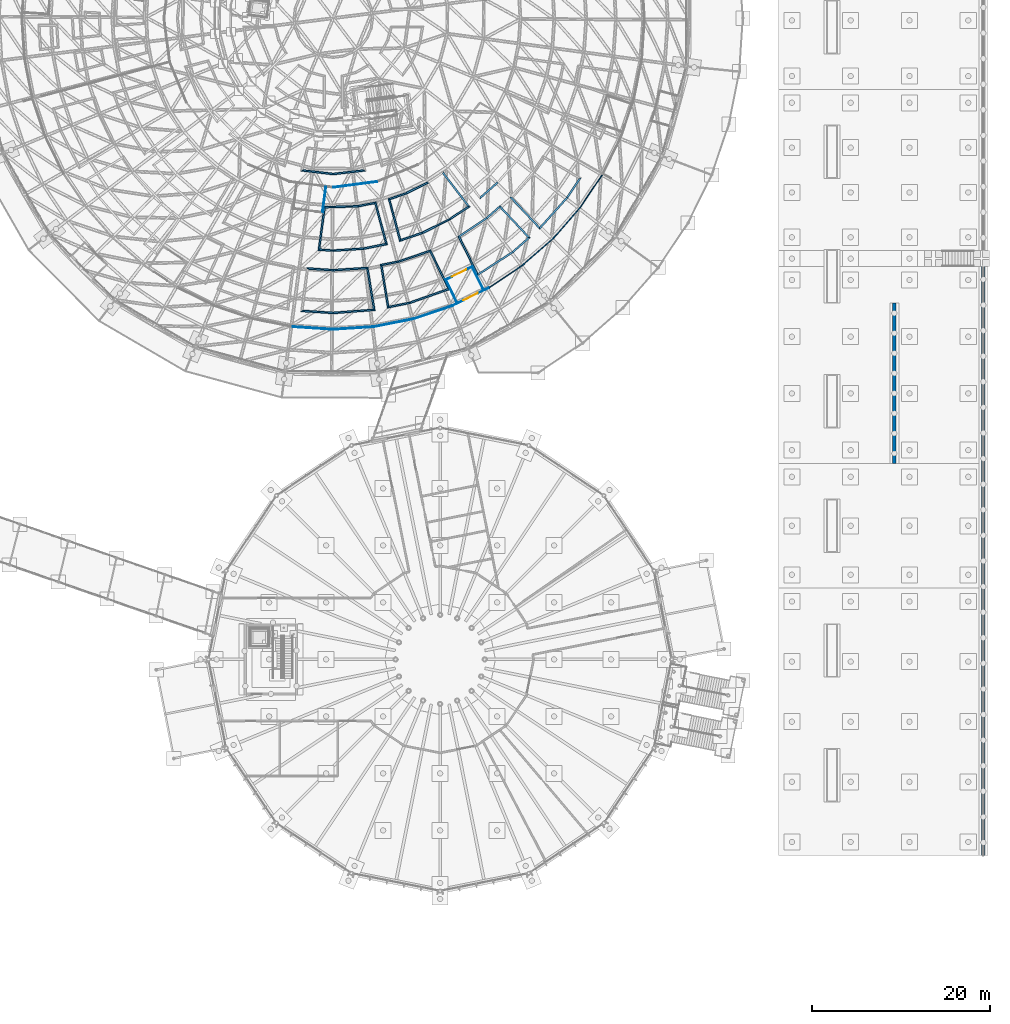
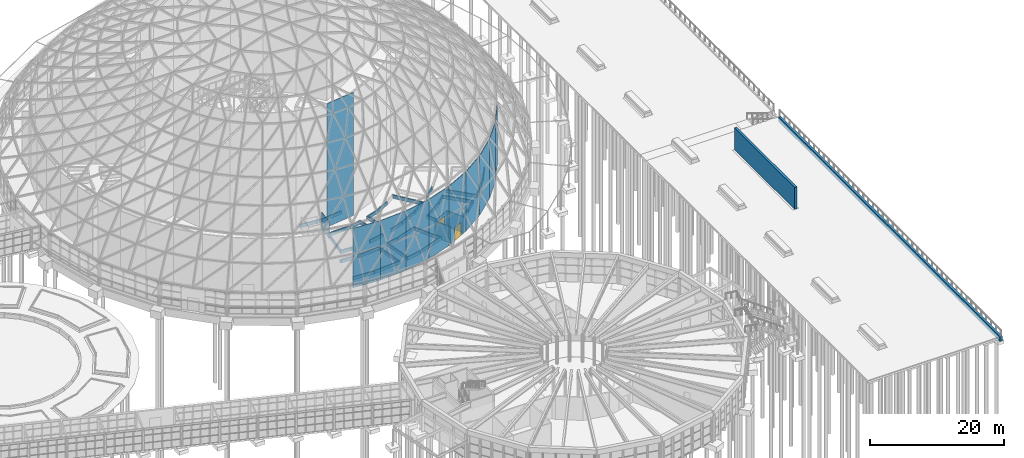
# One storey, part 175 of 226: 53 walls, 2 doors, 2 openings.
"""IFC4 building model written with IfcOpenShell, lengths in metres."""

from ifc_helpers import new_model, si_unit, direction, frame, frame_2d, origin, place, context, subcontext, project, spatial, polyline, rectangle, outline, extrude, material, layer, layer_set, type_object, element, fill, save


model = new_model("IFC4")

# Units and contexts
model_context = context("Model", 3, precision=1e-05, world=origin(), true_north=direction((0.0, 1.0)))
body_context = subcontext(model_context, "Body", "Model", "MODEL_VIEW")
ifc_project = project(units=[si_unit("LENGTHUNIT", "METRE"), si_unit("AREAUNIT", "SQUARE_METRE"), si_unit("VOLUMEUNIT", "CUBIC_METRE"), si_unit("PLANEANGLEUNIT", "RADIAN"), si_unit("MASSUNIT", "GRAM", prefix="KILO")], contexts=[model_context])

# Site, building, storey
site_placement = place(None, origin())
site = spatial("IfcSite", under=ifc_project, at=site_placement, CompositionType="ELEMENT")
building_placement = place(site_placement, origin())
building = spatial("IfcBuilding", under=site, at=building_placement, Name="Ceibo Conservatory and Research Tower", CompositionType="ELEMENT")
storey_placement = place(building_placement, origin())
storey = spatial("IfcBuildingStorey", under=building, at=storey_placement, Name="L00", CompositionType="ELEMENT", Elevation=0.0)

# Walls
ifc_material_1 = material(Name="Aluminium and glass", Category="aluminium")
ifc_layer_1 = layer(ifc_material_1, 0.10009765625)
ifc_layer_set_1 = layer_set([ifc_layer_1], Name="Aluminium and glass")
wall_type_1 = type_object("IfcWallType", Name="Airlock screen wall 100", PredefinedType="PARTITIONING", material=ifc_layer_set_1)
wall_1_placement = place(storey_placement, frame((151.438232421875, 73.34912109375, 0.0), z_axis=(0.0, 0.0, 1.0), x_axis=(0.997857806405, -0.065420166596, 0.0)))
element("IfcWall", 1, at=wall_1_placement, inside=storey, type_object=wall_type_1, Name="Glazed partition O", PredefinedType="PARTITIONING", context=body_context, shape_type="SweptSolid", body=[
    extrude(outline(polyline([(-0.003173828125, -0.050048828125), (4.57470703125, -0.050048828125), (4.568359375, 0.050048828125), (0.003173828125, 0.050048828125), (-0.003173828125, -0.050048828125)])), origin(), (0.0, 0.0, 1.0), 10.841552734375),
])
wall_2_placement = place(storey_placement, frame((156.0, 73.050048828125, 0.0), z_axis=(0.0, 0.0, 1.0), x_axis=(0.997857806405, 0.065420166596, 0.0)))
element("IfcWall", 2, at=wall_2_placement, inside=storey, type_object=wall_type_1, Name="Glazed partition O", PredefinedType="PARTITIONING", context=body_context, shape_type="SweptSolid", body=[
    extrude(outline(polyline([(-0.003173828125, -0.050048828125), (4.57470703125, -0.050048828125), (4.568359375, 0.050048828125), (0.003173828125, 0.050048828125), (-0.003173828125, -0.050048828125)])), origin(), (0.0, 0.0, 1.0), 10.84130859375),
])
for number, where, z_axis, x_axis, name in (
    (3, (160.561767578125, 73.34912109375, 0.0), (0.0, 0.0, 1.0), (0.9807875747, 0.195078787454, 0.0), "Glazed partition O"),
    (4, (165.045654296875, 74.240966796875, 0.0), (0.0, 0.0, 1.0), (0.946933427818, 0.321429748592, 0.0), "Glazed partition O"),
):
    element("IfcWall", number, at=place(storey_placement, frame(where, z_axis=z_axis, x_axis=x_axis)), inside=storey, type_object=wall_type_1, Name=name, PredefinedType="PARTITIONING", context=body_context, shape_type="SweptSolid", body=[
        extrude(outline(polyline([(-0.003173828125, -0.050048828125), (4.574951171875, -0.050048828125), (4.568603515625, 0.050048828125), (0.003173828125, 0.050048828125), (-0.003173828125, -0.050048828125)])), origin(), (0.0, 0.0, 1.0), 10.841552734375),
    ])

# Wall, opening, door
wall_3_placement = place(storey_placement, frame((169.374755859375, 75.71044921875, 0.0), z_axis=(0.0, 0.0, 1.0), x_axis=(0.896870290184, 0.442293661028, 0.0)))
wall_3 = element("IfcWall", 5, at=wall_3_placement, inside=storey, type_object=wall_type_1, Name="Glazed partition O", PredefinedType="PARTITIONING", context=body_context, shape_type="SweptSolid", body=[
    extrude(outline(polyline([(-0.003173828125, -0.050048828125), (4.57470703125, -0.050048828125), (4.568359375, 0.050048828125), (0.003173828125, 0.050048828125), (-0.003173828125, -0.050048828125)])), origin(), (0.0, 0.0, 1.0), 10.84130859375),
])
opening_1_placement = place(wall_3_placement, frame((1.3857421875, 0.0, 0.0)))
opening_1 = element("IfcOpeningElement", 6, at=opening_1_placement, cuts=wall_3, Name="Opening A-AL09", PredefinedType="OPENING", context=body_context, shape_type="SweptSolid", body=[
    extrude(rectangle(XDim=1.800048828125, YDim=2.39990234375, at=frame_2d((0.89990234375, 1.199951171875))), frame((0.0, 0.06005859375, 0.0), z_axis=(0.0, -1.0, 0.0), x_axis=(1.0, 0.0, 0.0)), (0.0, 0.0, 1.0), 0.1201171875),
])
door_type = type_object("IfcDoorType", Name="Glass sliding door 1800x2400", OperationType="DOUBLE_DOOR_SLIDING", PredefinedType="DOOR", material=ifc_material_1)
door_1_placement = place(opening_1_placement, origin())
door_1 = element("IfcDoor", 7, at=door_1_placement, inside=storey, type_object=door_type, Name="Airlock door A-AL09", OperationType="DOUBLE_DOOR_SLIDING", OverallHeight=2.39990234375, OverallWidth=1.800048828125, PredefinedType="DOOR", context=body_context, shape_type="SweptSolid", body=[
    extrude(rectangle(XDim=1.800048828125, YDim=2.39990234375, at=frame_2d((0.89990234375, 1.199951171875))), frame((0.0, 0.02490234375, 0.0), z_axis=(0.0, -1.0, 0.0), x_axis=(1.0, 0.0, 0.0)), (0.0, 0.0, 1.0), 0.050048828125),
])
fill(opening_1, door_1)

# Walls
wall_4_placement = place(storey_placement, frame((173.474853515625, 77.732421875, 0.0), z_axis=(0.0, 0.0, 1.0), x_axis=(0.831458299113, 0.555587164031, 0.0)))
element("IfcWall", 8, at=wall_4_placement, inside=storey, type_object=wall_type_1, Name="Glazed partition O", PredefinedType="PARTITIONING", context=body_context, shape_type="SweptSolid", body=[
    extrude(outline(polyline([(-0.003173828125, -0.050048828125), (4.574951171875, -0.050048828125), (4.568603515625, 0.050048828125), (0.003173828125, 0.050048828125), (-0.003173828125, -0.050048828125)])), origin(), (0.0, 0.0, 1.0), 10.841552734375),
])
wall_5_placement = place(storey_placement, frame((177.276123046875, 80.2724609375, 0.0), z_axis=(0.0, 0.0, 1.0), x_axis=(0.751864999433, 0.659317088075, 0.0)))
element("IfcWall", 9, at=wall_5_placement, inside=storey, type_object=wall_type_1, Name="Glazed partition O", PredefinedType="PARTITIONING", context=body_context, shape_type="SweptSolid", body=[
    extrude(outline(polyline([(-0.003173828125, -0.050048828125), (4.57470703125, -0.050048828125), (4.568359375, 0.050048828125), (0.003173828125, 0.050048828125), (-0.003173828125, -0.050048828125)])), origin(), (0.0, 0.0, 1.0), 10.841552734375),
])
wall_6_placement = place(storey_placement, frame((180.71337890625, 83.28662109375, 0.0), z_axis=(0.0, 0.0, 1.0), x_axis=(0.659317088075, 0.751864999433, 0.0)))
element("IfcWall", 10, at=wall_6_placement, inside=storey, type_object=wall_type_1, Name="Glazed partition O", PredefinedType="PARTITIONING", context=body_context, shape_type="SweptSolid", body=[
    extrude(outline(polyline([(-0.003173828125, -0.050048828125), (4.57470703125, -0.050048828125), (4.568359375, 0.050048828125), (0.003173828125, 0.050048828125), (-0.003173828125, -0.050048828125)])), origin(), (0.0, 0.0, 1.0), 10.84130859375),
])
wall_7_placement = place(storey_placement, frame((183.7275390625, 86.723876953125, 0.0), z_axis=(0.0, 0.0, 1.0), x_axis=(0.555587164031, 0.831458299113, 0.0)))
element("IfcWall", 11, at=wall_7_placement, inside=storey, type_object=wall_type_1, Name="Glazed partition O", PredefinedType="PARTITIONING", context=body_context, shape_type="SweptSolid", body=[
    extrude(outline(polyline([(-0.003173828125, -0.050048828125), (4.574951171875, -0.050048828125), (4.568603515625, 0.050048828125), (0.003173828125, 0.050048828125), (-0.003173828125, -0.050048828125)])), origin(), (0.0, 0.0, 1.0), 10.841552734375),
])
wall_8_placement = place(storey_placement, frame((156.0, 89.0, 0.0), z_axis=(0.0, 0.0, 1.0), x_axis=(0.991443234469, 0.130538549191, 0.0)))
element("IfcWall", 12, at=wall_8_placement, inside=storey, type_object=wall_type_1, Name="Glazed partition I", PredefinedType="PARTITIONING", context=body_context, shape_type="SweptSolid", body=[
    extrude(outline(polyline([(-0.006591796875, -0.050048828125), (4.966552734375, -0.050048828125), (4.953369140625, 0.050048828125), (0.006591796875, 0.050048828125), (-0.006591796875, -0.050048828125)])), origin(), (0.0, 0.0, 1.0), 22.484130859375),
])
for number, where, z_axis, x_axis, name in (
    (13, (169.9228515625, 76.036376953125, 0.0), (0.0, 0.0, 1.0), (-0.44227266216, 0.896880645519, 0.0), "Glazed partition A"),
    (14, (172.882568359375, 77.49609375, 0.0), (0.0, 0.0, 1.0), (-0.44227266216, 0.896880645519, 0.0), "Glazed partition A"),
):
    element("IfcWall", number, at=place(storey_placement, frame(where, z_axis=z_axis, x_axis=x_axis)), inside=storey, type_object=wall_type_1, Name=name, PredefinedType="PARTITIONING", context=body_context, shape_type="SweptSolid", body=[
        extrude(rectangle(XDim=2.85009765625, YDim=0.10009765625, at=frame_2d((1.425048828125, 0.0))), origin(), (0.0, 0.0, 1.0), 3.0),
    ])

# Wall, opening, door
wall_9_placement = place(storey_placement, frame((168.595458984375, 78.615234375, 0.0), z_axis=(0.0, 0.0, 1.0), x_axis=(0.896855262405, 0.442324132619, 0.0)))
wall_9 = element("IfcWall", 15, at=wall_9_placement, inside=storey, type_object=wall_type_1, Name="Glazed partition A", PredefinedType="PARTITIONING", context=body_context, shape_type="SweptSolid", body=[
    extrude(rectangle(XDim=3.39990234375, YDim=0.10009765625, at=frame_2d((1.699951171875, 0.0))), origin(), (0.0, 0.0, 1.0), 3.0),
])
opening_2_placement = place(wall_9_placement, frame((0.800048828125, 0.0, 0.0)))
opening_2 = element("IfcOpeningElement", 16, at=opening_2_placement, cuts=wall_9, Name="Opening A-AL10", PredefinedType="OPENING", context=body_context, shape_type="SweptSolid", body=[
    extrude(rectangle(XDim=1.800048828125, YDim=2.39990234375, at=frame_2d((0.89990234375, 1.199951171875))), frame((0.0, 0.06005859375, 0.0), z_axis=(0.0, -1.0, 0.0), x_axis=(1.0, 0.0, 0.0)), (0.0, 0.0, 1.0), 0.1201171875),
])
door_2_placement = place(opening_2_placement, origin())
door_2 = element("IfcDoor", 17, at=door_2_placement, inside=storey, type_object=door_type, Name="Airlock door A-AL10", OperationType="DOUBLE_DOOR_SLIDING", OverallHeight=2.39990234375, OverallWidth=1.800048828125, PredefinedType="DOOR", context=body_context, shape_type="SweptSolid", body=[
    extrude(rectangle(XDim=1.800048828125, YDim=2.39990234375, at=frame_2d((0.89990234375, 1.199951171875))), frame((0.0, 0.02490234375, 0.0), z_axis=(0.0, -1.0, 0.0), x_axis=(1.0, 0.0, 0.0)), (0.0, 0.0, 1.0), 0.050048828125),
])
fill(opening_2, door_2)

# Walls
wall_10_placement = place(storey_placement, frame((155.170654296875, 89.058837890625, 0.0), z_axis=(0.0, 0.0, 1.0), x_axis=(-0.130547578832, -0.991442045538, 0.0)))
element("IfcWall", 18, at=wall_10_placement, inside=storey, type_object=wall_type_1, Name="Glazed partition A", PredefinedType="PARTITIONING", context=body_context, shape_type="SweptSolid", body=[
    extrude(rectangle(XDim=2.85009765625, YDim=0.10009765625, at=frame_2d((1.425048828125, 0.0))), origin(), (0.0, 0.0, 1.0), 3.0),
])
ifc_material_2 = material(Name="Masonry blockwork", Category="masonry")
ifc_layer_2 = layer(ifc_material_2, 0.199951171875)
ifc_layer_set_2 = layer_set([ifc_layer_2], Name="Masonry blockwork")
wall_type_2 = type_object("IfcWallType", Name="Dome planter wall 200", PredefinedType="SOLIDWALL", material=ifc_layer_set_2)
wall_11_placement = place(storey_placement, frame((152.4560546875, 90.909912109375, 0.0), z_axis=(0.0, 0.0, 1.0), x_axis=(0.993400541196, -0.114696838457, 0.0)))
element("IfcWall", 19, at=wall_11_placement, inside=storey, type_object=wall_type_2, Name="Planter wall A-PB018", PredefinedType="SOLIDWALL", context=body_context, shape_type="SweptSolid", body=[
    extrude(outline(polyline([(-0.115966796875, -0.10009765625), (3.578857421875, -0.10009765625), (3.555908203125, 0.10009765625), (0.115966796875, 0.10009765625), (-0.115966796875, -0.10009765625)])), origin(), (0.0, 0.0, 1.0), 0.60009765625),
])
wall_12_placement = place(storey_placement, frame((156.0, 90.500732421875, 0.0), z_axis=(0.0, 0.0, 1.0), x_axis=(0.993400541196, 0.114696838457, 0.0)))
element("IfcWall", 20, at=wall_12_placement, inside=storey, type_object=wall_type_2, Name="Planter wall A-PB018", PredefinedType="SOLIDWALL", context=body_context, shape_type="SweptSolid", body=[
    extrude(outline(polyline([(-0.011474609375, -0.10009765625), (3.683349609375, -0.10009765625), (3.451416015625, 0.10009765625), (0.011474609375, 0.10009765625), (-0.011474609375, -0.10009765625)])), origin(), (0.0, 0.0, 1.0), 0.60009765625),
])
wall_13_placement = place(storey_placement, frame((154.393310546875, 82.005615234375, 0.0), z_axis=(0.0, 0.0, 1.0), x_axis=(0.997852402319, -0.065502543352, 0.0)))
element("IfcWall", 21, at=wall_13_placement, inside=storey, type_object=wall_type_2, Name="Planter wall A-PB050", PredefinedType="SOLIDWALL", context=body_context, shape_type="SweptSolid", body=[
    extrude(outline(polyline([(-0.106689453125, -0.10009765625), (1.61669921875, -0.10009765625), (1.603515625, 0.10009765625), (0.106689453125, 0.10009765625), (-0.106689453125, -0.10009765625)])), origin(), (0.0, 0.0, 1.0), 0.60009765625),
])
wall_14_placement = place(storey_placement, frame((156.0, 81.900146484375, 0.0), z_axis=(0.0, 0.0, 1.0), x_axis=(0.997857025593, 0.065432075277, 0.0)))
element("IfcWall", 22, at=wall_14_placement, inside=storey, type_object=wall_type_2, Name="Planter wall A-PB050", PredefinedType="SOLIDWALL", context=body_context, shape_type="SweptSolid", body=[
    extrude(outline(polyline([(-0.006591796875, -0.10009765625), (3.420654296875, -0.10009765625), (3.407470703125, 0.10009765625), (0.006591796875, 0.10009765625), (-0.006591796875, -0.10009765625)])), origin(), (0.0, 0.0, 1.0), 0.60009765625),
])
wall_15_placement = place(storey_placement, frame((159.40673828125, 82.12353515625, 0.0), z_axis=(0.0, 0.0, 1.0), x_axis=(0.980792189563, 0.195055584107, 0.0)))
element("IfcWall", 23, at=wall_15_placement, inside=storey, type_object=wall_type_2, Name="Planter wall A-PB050", PredefinedType="SOLIDWALL", context=body_context, shape_type="SweptSolid", body=[
    extrude(outline(polyline([(-0.006591796875, -0.10009765625), (2.718994140625, -0.10009765625), (2.505615234375, 0.10009765625), (0.006591796875, 0.10009765625), (-0.006591796875, -0.10009765625)])), origin(), (0.0, 0.0, 1.0), 0.60009765625),
])
wall_16_placement = place(storey_placement, frame((161.96875, 82.633056640625, 0.0), z_axis=(0.0, 0.0, 1.0), x_axis=(-0.258802189717, 0.965930342518, 0.0)))
element("IfcWall", 24, at=wall_16_placement, inside=storey, type_object=wall_type_2, Name="Planter wall A-PB050", PredefinedType="SOLIDWALL", context=body_context, shape_type="SweptSolid", body=[
    extrude(outline(polyline([(-0.106689453125, -0.10009765625), (4.8935546875, -0.10009765625), (4.7060546875, 0.10009765625), (0.106689453125, 0.10009765625), (-0.106689453125, -0.10009765625)])), origin(), (0.0, 0.0, 1.0), 0.60009765625),
])
wall_17_placement = place(storey_placement, frame((160.7265625, 87.269287109375, 0.0), z_axis=(0.0, 0.0, 1.0), x_axis=(-0.980769302126, -0.195170633055, 0.0)))
element("IfcWall", 25, at=wall_17_placement, inside=storey, type_object=wall_type_2, Name="Planter wall A-PB050", PredefinedType="SOLIDWALL", context=body_context, shape_type="SweptSolid", body=[
    extrude(outline(polyline([(-0.09375, -0.10009765625), (1.97802734375, -0.10009765625), (1.99462890625, 0.10009765625), (0.09375, 0.10009765625), (-0.09375, -0.10009765625)])), origin(), (0.0, 0.0, 1.0), 0.60009765625),
])
wall_18_placement = place(storey_placement, frame((158.7783203125, 86.881591796875, 0.0), z_axis=(0.0, 0.0, 1.0), x_axis=(-0.999578465487, -0.029032590908, 0.0)))
element("IfcWall", 26, at=wall_18_placement, inside=storey, type_object=wall_type_2, Name="Planter wall A-PB050", PredefinedType="SOLIDWALL", context=body_context, shape_type="SweptSolid", body=[
    extrude(outline(polyline([(0.00830078125, -0.10009765625), (3.843994140625, -0.10009765625), (3.673583984375, 0.10009765625), (-0.00830078125, 0.10009765625), (0.00830078125, -0.10009765625)])), origin(), (0.0, 0.0, 1.0), 0.60009765625),
])
wall_19_placement = place(storey_placement, frame((155.02099609375, 86.7724609375, 0.0), z_axis=(0.0, 0.0, 1.0), x_axis=(-0.130550399195, -0.991441674164, 0.0)))
element("IfcWall", 27, at=wall_19_placement, inside=storey, type_object=wall_type_2, Name="Planter wall A-PB050", PredefinedType="SOLIDWALL", context=body_context, shape_type="SweptSolid", body=[
    extrude(outline(polyline([(-0.085205078125, -0.10009765625), (4.914794921875, -0.10009765625), (4.701416015625, 0.10009765625), (0.085205078125, 0.10009765625), (-0.085205078125, -0.10009765625)])), origin(), (0.0, 0.0, 1.0), 0.60009765625),
])
wall_20_placement = place(storey_placement, frame((162.27197265625, 87.683349609375, 0.0), z_axis=(0.0, 0.0, 1.0), x_axis=(0.258862365244, -0.965914217651, 0.0)))
element("IfcWall", 28, at=wall_20_placement, inside=storey, type_object=wall_type_2, Name="Planter wall A-PB051", PredefinedType="SOLIDWALL", context=body_context, shape_type="SweptSolid", body=[
    extrude(outline(polyline([(-0.09375, -0.10009765625), (4.90625, -0.10009765625), (4.69287109375, 0.10009765625), (0.09375, 0.10009765625), (-0.09375, -0.10009765625)])), origin(), (0.0, 0.0, 1.0), 0.60009765625),
])
wall_21_placement = place(storey_placement, frame((163.514404296875, 83.04736328125, 0.0), z_axis=(0.0, 0.0, 1.0), x_axis=(0.946940101342, 0.321410087694, 0.0)))
element("IfcWall", 29, at=wall_21_placement, inside=storey, type_object=wall_type_2, Name="Planter wall A-PB051", PredefinedType="SOLIDWALL", context=body_context, shape_type="SweptSolid", body=[
    extrude(outline(polyline([(-0.106689453125, -0.10009765625), (2.618896484375, -0.10009765625), (2.605712890625, 0.10009765625), (0.106689453125, 0.10009765625), (-0.106689453125, -0.10009765625)])), origin(), (0.0, 0.0, 1.0), 0.60009765625),
])
wall_22_placement = place(storey_placement, frame((165.988037109375, 83.886962890625, 0.0), z_axis=(0.0, 0.0, 1.0), x_axis=(0.896859600728, 0.442315336138, 0.0)))
element("IfcWall", 30, at=wall_22_placement, inside=storey, type_object=wall_type_2, Name="Planter wall A-PB051", PredefinedType="SOLIDWALL", context=body_context, shape_type="SweptSolid", body=[
    extrude(outline(polyline([(-0.006591796875, -0.10009765625), (3.42041015625, -0.10009765625), (3.4072265625, 0.10009765625), (0.006591796875, 0.10009765625), (-0.006591796875, -0.10009765625)])), origin(), (0.0, 0.0, 1.0), 0.60009765625),
])
wall_23_placement = place(storey_placement, frame((169.0498046875, 85.39697265625, 0.0), z_axis=(0.0, 0.0, 1.0), x_axis=(0.831503515808, 0.555519489486, 0.0)))
element("IfcWall", 31, at=wall_23_placement, inside=storey, type_object=wall_type_2, Name="Planter wall A-PB051", PredefinedType="SOLIDWALL", context=body_context, shape_type="SweptSolid", body=[
    extrude(outline(polyline([(-0.006591796875, -0.10009765625), (2.718994140625, -0.10009765625), (2.505615234375, 0.10009765625), (0.006591796875, 0.10009765625), (-0.006591796875, -0.10009765625)])), origin(), (0.0, 0.0, 1.0), 0.60009765625),
])
wall_24_placement = place(storey_placement, frame((171.221923828125, 86.84814453125, 0.0), z_axis=(0.0, 0.0, 1.0), x_axis=(-0.608761460015, 0.793353316499, 0.0)))
element("IfcWall", 32, at=wall_24_placement, inside=storey, type_object=wall_type_2, Name="Planter wall A-PB051", PredefinedType="SOLIDWALL", context=body_context, shape_type="SweptSolid", body=[
    extrude(outline(polyline([(-0.106689453125, -0.10009765625), (4.8935546875, -0.10009765625), (4.7060546875, 0.10009765625), (0.106689453125, 0.10009765625), (-0.106689453125, -0.10009765625)])), origin(), (0.0, 0.0, 1.0), 0.60009765625),
])
wall_25_placement = place(storey_placement, frame((166.650146484375, 89.553466796875, 0.0), z_axis=(0.0, 0.0, 1.0), x_axis=(-0.896901817238, -0.442229725635, 0.0)))
element("IfcWall", 33, at=wall_25_placement, inside=storey, type_object=wall_type_2, Name="Planter wall A-PB051", PredefinedType="SOLIDWALL", context=body_context, shape_type="SweptSolid", body=[
    extrude(outline(polyline([(0.006591796875, -0.10009765625), (2.77978515625, -0.10009765625), (2.79296875, 0.10009765625), (-0.006591796875, 0.10009765625), (0.006591796875, -0.10009765625)])), origin(), (0.0, 0.0, 1.0), 0.60009765625),
])
wall_26_placement = place(storey_placement, frame((164.151123046875, 88.3212890625, 0.0), z_axis=(0.0, 0.0, 1.0), x_axis=(-0.946921869653, -0.321463796986, 0.0)))
element("IfcWall", 34, at=wall_26_placement, inside=storey, type_object=wall_type_2, Name="Planter wall A-PB051", PredefinedType="SOLIDWALL", context=body_context, shape_type="SweptSolid", body=[
    extrude(outline(polyline([(0.006591796875, -0.10009765625), (2.078125, -0.10009765625), (1.890625, 0.10009765625), (-0.006591796875, 0.10009765625), (0.006591796875, -0.10009765625)])), origin(), (0.0, 0.0, 1.0), 0.60009765625),
])
wall_27_placement = place(storey_placement, frame((172.4912109375, 87.822265625, 0.0), z_axis=(0.0, 0.0, 1.0), x_axis=(0.751852577458, 0.659331253445, 0.0)))
element("IfcWall", 35, at=wall_27_placement, inside=storey, type_object=wall_type_2, Name="Planter wall A-PB052", PredefinedType="SOLIDWALL", context=body_context, shape_type="SweptSolid", body=[
    extrude(outline(polyline([(-0.106689453125, -0.10009765625), (2.618896484375, -0.10009765625), (2.605712890625, 0.10009765625), (0.106689453125, 0.10009765625), (-0.106689453125, -0.10009765625)])), origin(), (0.0, 0.0, 1.0), 0.60009765625),
])
wall_28_placement = place(storey_placement, frame((152.4794921875, 75.130859375, 0.0), z_axis=(0.0, 0.0, 1.0), x_axis=(0.997858948744, -0.065402740086, 0.0)))
element("IfcWall", 36, at=wall_28_placement, inside=storey, type_object=wall_type_2, Name="Planter wall A-PB058", PredefinedType="SOLIDWALL", context=body_context, shape_type="SweptSolid", body=[
    extrude(outline(polyline([(-0.106689453125, -0.10009765625), (3.53466796875, -0.10009765625), (3.5205078125, 0.10009765625), (0.106689453125, 0.10009765625), (-0.106689453125, -0.10009765625)])), origin(), (0.0, 0.0, 1.0), 0.60009765625),
])
wall_29_placement = place(storey_placement, frame((155.99951171875, 74.900146484375, 0.0), z_axis=(0.0, 0.0, 1.0), x_axis=(0.997104118321, 0.076048518903, 0.0)))
element("IfcWall", 37, at=wall_29_placement, inside=storey, type_object=wall_type_2, Name="Planter wall A-PB058", PredefinedType="SOLIDWALL", context=body_context, shape_type="SweptSolid", body=[
    extrude(outline(polyline([(-0.007080078125, -0.10009765625), (4.71923828125, -0.10009765625), (4.5009765625, 0.10009765625), (0.007080078125, 0.10009765625), (-0.007080078125, -0.10009765625)])), origin(), (0.0, 0.0, 1.0), 0.60009765625),
])
wall_30_placement = place(storey_placement, frame((160.59619140625, 75.250732421875, 0.0), z_axis=(0.0, 0.0, 1.0), x_axis=(-0.162894337643, 0.986643519598, 0.0)))
element("IfcWall", 38, at=wall_30_placement, inside=storey, type_object=wall_type_2, Name="Planter wall A-PB058", PredefinedType="SOLIDWALL", context=body_context, shape_type="SweptSolid", body=[
    extrude(outline(polyline([(-0.109130859375, -0.10009765625), (4.853759765625, -0.10009765625), (4.672607421875, 0.10009765625), (0.109130859375, 0.10009765625), (-0.109130859375, -0.10009765625)])), origin(), (0.0, 0.0, 1.0), 0.60009765625),
])
wall_31_placement = place(storey_placement, frame((159.8203125, 79.9501953125, 0.0), z_axis=(0.0, 0.0, 1.0), x_axis=(-0.997857358572, -0.065426997054, 0.0)))
element("IfcWall", 39, at=wall_31_placement, inside=storey, type_object=wall_type_2, Name="Planter wall A-PB058", PredefinedType="SOLIDWALL", context=body_context, shape_type="SweptSolid", body=[
    extrude(outline(polyline([(-0.090576171875, -0.10009765625), (3.822021484375, -0.10009765625), (3.835205078125, 0.10009765625), (0.090576171875, 0.10009765625), (-0.090576171875, -0.10009765625)])), origin(), (0.0, 0.0, 1.0), 0.60009765625),
])
wall_32_placement = place(storey_placement, frame((156.0, 79.69970703125, 0.0), z_axis=(0.0, 0.0, 1.0), x_axis=(-0.997858300501, 0.065412629671, 0.0)))
element("IfcWall", 40, at=wall_32_placement, inside=storey, type_object=wall_type_2, Name="Planter wall A-PB058", PredefinedType="SOLIDWALL", context=body_context, shape_type="SweptSolid", body=[
    extrude(outline(polyline([(0.006591796875, -0.10009765625), (2.99365234375, -0.10009765625), (2.80615234375, 0.10009765625), (-0.006591796875, 0.10009765625), (0.006591796875, -0.10009765625)])), origin(), (0.0, 0.0, 1.0), 0.60009765625),
])
wall_33_placement = place(storey_placement, frame((161.3876953125, 80.27880859375, 0.0), z_axis=(0.0, 0.0, 1.0), x_axis=(0.162886821546, -0.986644760472, 0.0)))
element("IfcWall", 41, at=wall_33_placement, inside=storey, type_object=wall_type_2, Name="Planter wall A-PB059", PredefinedType="SOLIDWALL", context=body_context, shape_type="SweptSolid", body=[
    extrude(outline(polyline([(-0.0966796875, -0.10009765625), (4.89501953125, -0.10009765625), (4.6884765625, 0.10009765625), (0.0966796875, 0.10009765625), (-0.0966796875, -0.10009765625)])), origin(), (0.0, 0.0, 1.0), 0.60009765625),
])
wall_34_placement = place(storey_placement, frame((162.168212890625, 75.551025390625, 0.0), z_axis=(0.0, 0.0, 1.0), x_axis=(0.98079898282, 0.195021422668, 0.0)))
element("IfcWall", 42, at=wall_34_placement, inside=storey, type_object=wall_type_2, Name="Planter wall A-PB059", PredefinedType="SOLIDWALL", context=body_context, shape_type="SweptSolid", body=[
    extrude(outline(polyline([(-0.103271484375, -0.10009765625), (2.451904296875, -0.10009765625), (2.437744140625, 0.10009765625), (0.103271484375, 0.10009765625), (-0.103271484375, -0.10009765625)])), origin(), (0.0, 0.0, 1.0), 0.60009765625),
])
wall_35_placement = place(storey_placement, frame((164.566162109375, 76.02783203125, 0.0), z_axis=(0.0, 0.0, 1.0), x_axis=(0.942742164212, 0.333522430755, 0.0)))
element("IfcWall", 43, at=wall_35_placement, inside=storey, type_object=wall_type_2, Name="Planter wall A-PB059", PredefinedType="SOLIDWALL", context=body_context, shape_type="SweptSolid", body=[
    extrude(outline(polyline([(-0.007080078125, -0.10009765625), (4.80322265625, -0.10009765625), (4.578125, 0.10009765625), (0.007080078125, 0.10009765625), (-0.007080078125, -0.10009765625)])), origin(), (0.0, 0.0, 1.0), 0.60009765625),
])
wall_36_placement = place(storey_placement, frame((168.98828125, 77.59228515625, 0.0), z_axis=(0.0, 0.0, 1.0), x_axis=(-0.442252442989, 0.896890615778, 0.0)))
element("IfcWall", 44, at=wall_36_placement, inside=storey, type_object=wall_type_2, Name="Planter wall A-PB059", PredefinedType="SOLIDWALL", context=body_context, shape_type="SweptSolid", body=[
    extrude(outline(polyline([(-0.112548828125, -0.10009765625), (4.85791015625, -0.10009765625), (4.6826171875, 0.10009765625), (0.112548828125, 0.10009765625), (-0.112548828125, -0.10009765625)])), origin(), (0.0, 0.0, 1.0), 0.60009765625),
])
wall_37_placement = place(storey_placement, frame((166.878662109375, 81.87060546875, 0.0), z_axis=(0.0, 0.0, 1.0), x_axis=(-0.946918954903, -0.321472382711, 0.0)))
element("IfcWall", 45, at=wall_37_placement, inside=storey, type_object=wall_type_2, Name="Planter wall A-PB059", PredefinedType="SOLIDWALL", context=body_context, shape_type="SweptSolid", body=[
    extrude(outline(polyline([(-0.087646484375, -0.10009765625), (3.74658203125, -0.10009765625), (3.759765625, 0.10009765625), (0.087646484375, 0.10009765625), (-0.087646484375, -0.10009765625)])), origin(), (0.0, 0.0, 1.0), 0.60009765625),
])
wall_38_placement = place(storey_placement, frame((163.32470703125, 80.6640625, 0.0), z_axis=(0.0, 0.0, 1.0), x_axis=(-0.980789318364, -0.195070020718, 0.0)))
element("IfcWall", 46, at=wall_38_placement, inside=storey, type_object=wall_type_2, Name="Planter wall A-PB059", PredefinedType="SOLIDWALL", context=body_context, shape_type="SweptSolid", body=[
    extrude(outline(polyline([(0.006591796875, -0.10009765625), (2.071533203125, -0.10009765625), (1.878173828125, 0.10009765625), (-0.006591796875, 0.10009765625), (0.006591796875, -0.10009765625)])), origin(), (0.0, 0.0, 1.0), 0.60009765625),
])
wall_39_placement = place(storey_placement, frame((170.107421875, 83.462646484375, 0.0), z_axis=(0.0, 0.0, 1.0), x_axis=(0.442272744739, -0.896880604797, 0.0)))
element("IfcWall", 47, at=wall_39_placement, inside=storey, type_object=wall_type_2, Name="Planter wall A-PB060", PredefinedType="SOLIDWALL", context=body_context, shape_type="SweptSolid", body=[
    extrude(outline(polyline([(-0.087646484375, -0.10009765625), (4.882568359375, -0.10009765625), (4.657470703125, 0.10009765625), (0.087646484375, 0.10009765625), (-0.087646484375, -0.10009765625)])), origin(), (0.0, 0.0, 1.0), 0.60009765625),
])
wall_40_placement = place(storey_placement, frame((172.217041015625, 79.1845703125, 0.0), z_axis=(0.0, 0.0, 1.0), x_axis=(0.838518522174, 0.544873093454, 0.0)))
element("IfcWall", 48, at=wall_40_placement, inside=storey, type_object=wall_type_2, Name="Planter wall A-PB060", PredefinedType="SOLIDWALL", context=body_context, shape_type="SweptSolid", body=[
    extrude(outline(polyline([(-0.112548828125, -0.10009765625), (4.697998046875, -0.10009765625), (4.683837890625, 0.10009765625), (0.112548828125, 0.10009765625), (-0.112548828125, -0.10009765625)])), origin(), (0.0, 0.0, 1.0), 0.60009765625),
])
wall_41_placement = place(storey_placement, frame((176.150390625, 81.740478515625, 0.0), z_axis=(0.0, 0.0, 1.0), x_axis=(0.75177821781, 0.659416038042, 0.0)))
element("IfcWall", 49, at=wall_41_placement, inside=storey, type_object=wall_type_2, Name="Planter wall A-PB060", PredefinedType="SOLIDWALL", context=body_context, shape_type="SweptSolid", body=[
    extrude(outline(polyline([(-0.007080078125, -0.10009765625), (2.54833984375, -0.10009765625), (2.341796875, 0.10009765625), (0.007080078125, 0.10009765625), (-0.007080078125, -0.10009765625)])), origin(), (0.0, 0.0, 1.0), 0.60009765625),
])
wall_42_placement = place(storey_placement, frame((177.988525390625, 83.352783203125, 0.0), z_axis=(0.0, 0.0, 1.0), x_axis=(-0.683597007489, 0.72985966552, 0.0)))
element("IfcWall", 50, at=wall_42_placement, inside=storey, type_object=wall_type_2, Name="Planter wall A-PB060", PredefinedType="SOLIDWALL", context=body_context, shape_type="SweptSolid", body=[
    extrude(outline(polyline([(-0.103271484375, -0.10009765625), (4.888427734375, -0.10009765625), (4.695068359375, 0.10009765625), (0.103271484375, 0.10009765625), (-0.103271484375, -0.10009765625)])), origin(), (0.0, 0.0, 1.0), 0.60009765625),
])
wall_43_placement = place(storey_placement, frame((174.712890625, 86.85009765625, 0.0), z_axis=(0.0, 0.0, 1.0), x_axis=(-0.751825765173, -0.659361826937, 0.0)))
element("IfcWall", 51, at=wall_43_placement, inside=storey, type_object=wall_type_2, Name="Planter wall A-PB060", PredefinedType="SOLIDWALL", context=body_context, shape_type="SweptSolid", body=[
    extrude(outline(polyline([(-0.0966796875, -0.10009765625), (1.968505859375, -0.10009765625), (1.981689453125, 0.10009765625), (0.0966796875, 0.10009765625), (-0.0966796875, -0.10009765625)])), origin(), (0.0, 0.0, 1.0), 0.60009765625),
])
wall_44_placement = place(storey_placement, frame((173.22802734375, 85.5478515625, 0.0), z_axis=(0.0, 0.0, 1.0), x_axis=(-0.831459376024, -0.555585552388, 0.0)))
element("IfcWall", 52, at=wall_44_placement, inside=storey, type_object=wall_type_2, Name="Planter wall A-PB060", PredefinedType="SOLIDWALL", context=body_context, shape_type="SweptSolid", body=[
    extrude(outline(polyline([(0.006591796875, -0.10009765625), (3.8408203125, -0.10009765625), (3.66552734375, 0.10009765625), (-0.006591796875, 0.10009765625), (0.006591796875, -0.10009765625)])), origin(), (0.0, 0.0, 1.0), 0.60009765625),
])
wall_45_placement = place(storey_placement, frame((175.927734375, 87.8935546875, 0.0), z_axis=(0.0, 0.0, 1.0), x_axis=(0.683611992756, -0.729845629815, 0.0)))
element("IfcWall", 53, at=wall_45_placement, inside=storey, type_object=wall_type_2, Name="Planter wall A-PB061", PredefinedType="SOLIDWALL", context=body_context, shape_type="SweptSolid", body=[
    extrude(outline(polyline([(-0.090576171875, -0.10009765625), (4.872314453125, -0.10009765625), (4.654052734375, 0.10009765625), (0.090576171875, 0.10009765625), (-0.090576171875, -0.10009765625)])), origin(), (0.0, 0.0, 1.0), 0.60009765625),
])
wall_46_placement = place(storey_placement, frame((179.183837890625, 84.417236328125, 0.0), z_axis=(0.0, 0.0, 1.0), x_axis=(0.667304022118, 0.744785433575, 0.0)))
element("IfcWall", 54, at=wall_46_placement, inside=storey, type_object=wall_type_2, Name="Planter wall A-PB061", PredefinedType="SOLIDWALL", context=body_context, shape_type="SweptSolid", body=[
    extrude(outline(polyline([(-0.109130859375, -0.10009765625), (4.616943359375, -0.10009765625), (4.602783203125, 0.10009765625), (0.109130859375, 0.10009765625), (-0.109130859375, -0.10009765625)])), origin(), (0.0, 0.0, 1.0), 0.60009765625),
])
wall_47_placement = place(storey_placement, frame((182.260009765625, 87.8505859375, 0.0), z_axis=(0.0, 0.0, 1.0), x_axis=(0.555579658249, 0.831463314488, 0.0)))
element("IfcWall", 55, at=wall_47_placement, inside=storey, type_object=wall_type_2, Name="Planter wall A-PB061", PredefinedType="SOLIDWALL", context=body_context, shape_type="SweptSolid", body=[
    extrude(outline(polyline([(-0.007080078125, -0.10009765625), (2.732421875, -0.10009765625), (2.51904296875, 0.10009765625), (0.007080078125, 0.10009765625), (-0.007080078125, -0.10009765625)])), origin(), (0.0, 0.0, 1.0), 0.60009765625),
])
ifc_material_3 = material(Name="Concrete C35/45", Category="concrete")
ifc_layer_3 = layer(ifc_material_3, 0.39990234375)
ifc_layer_set_3 = layer_set([ifc_layer_3], Name="Concrete C35/45")
wall_type_3 = type_object("IfcWallType", Name="Quay edge wall 400", PredefinedType="SOLIDWALL", material=ifc_layer_set_3)
wall_48_placement = place(storey_placement, frame((229.0, 14.0, -0.89990234375), z_axis=(0.0, 0.0, 1.0), x_axis=(0.0, 1.0, 0.0)))
element("IfcWall", 56, at=wall_48_placement, inside=storey, type_object=wall_type_3, Name="Quay edge wall", PredefinedType="SOLIDWALL", context=body_context, shape_type="SweptSolid", body=[
    extrude(rectangle(XDim=66.10009765625, YDim=0.39990234375, at=frame_2d((33.050048828125, 0.0))), origin(), (0.0, 0.0, 1.0), 0.89990234375),
])
ifc_material_4 = material(Name="Concrete C30/37", Category="concrete")
ifc_layer_4 = layer(ifc_material_4, 0.39990234375)
ifc_layer_set_4 = layer_set([ifc_layer_4], Name="Concrete C30/37")
wall_type_4 = type_object("IfcWallType", Name="Relief wall 400", PredefinedType="SOLIDWALL", material=ifc_layer_set_4)
wall_49_placement = place(storey_placement, frame((219.0, 58.0, 0.0), z_axis=(0.0, 0.0, 1.0), x_axis=(0.0, 1.0, 0.0)))
element("IfcWall", 57, at=wall_49_placement, inside=storey, type_object=wall_type_4, Name="Relief wall", PredefinedType="SOLIDWALL", context=body_context, shape_type="SweptSolid", body=[
    extrude(rectangle(XDim=18.0, YDim=0.39990234375, at=frame_2d((9.0, 0.0))), origin(), (0.0, 0.0, 1.0), 4.0),
])

save(model, "model.ifc")
